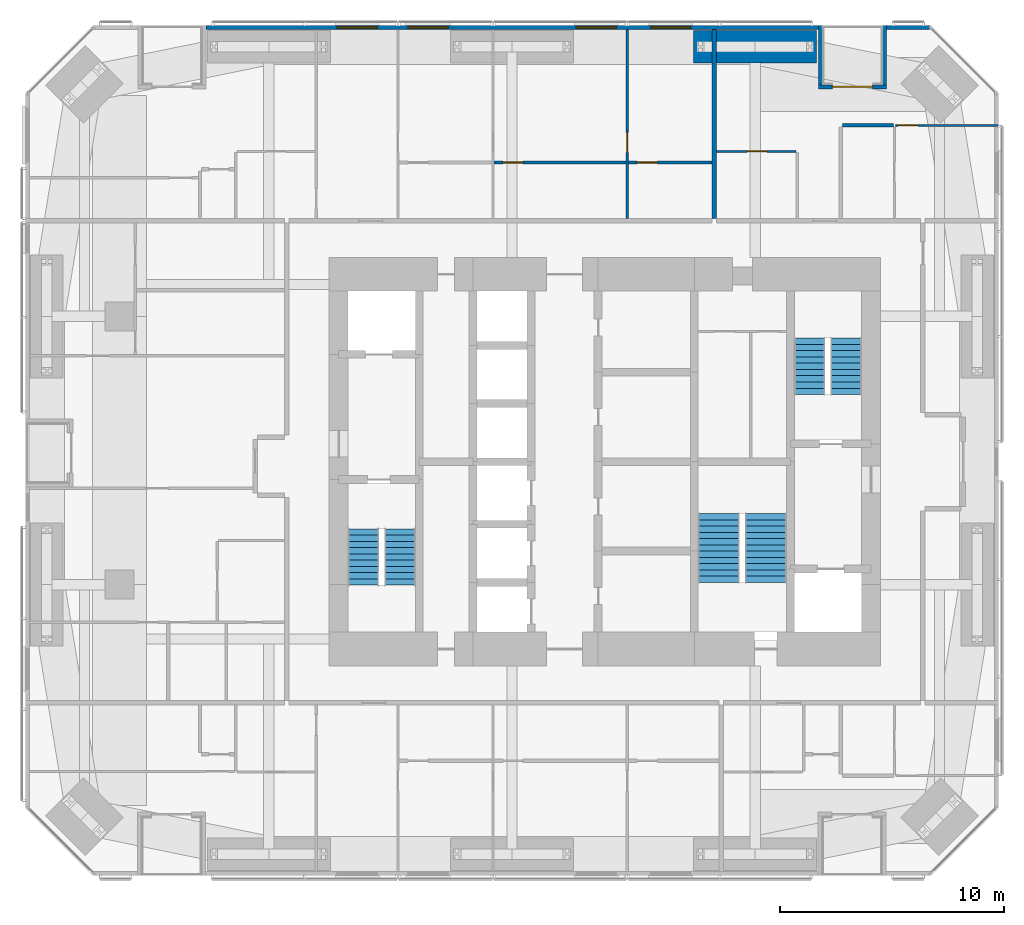
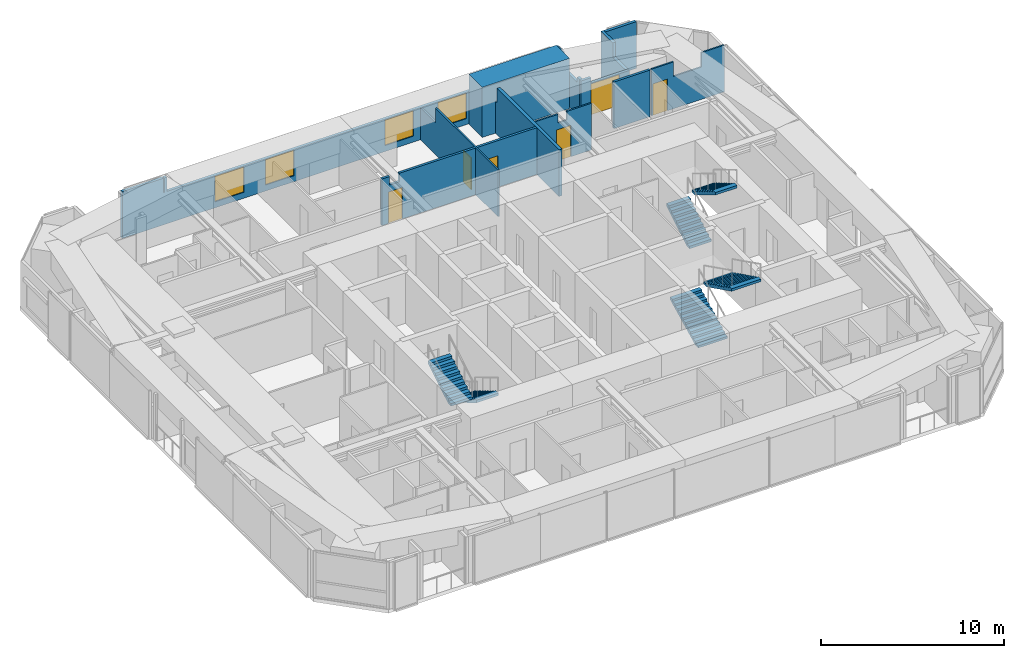
# One storey, part 22 of 23: 14 walls, 6 doors, 6 stair flights, 4 windows, 10 openings, 3 elements without a shape of their own.
"""IFC4 building model written with IfcOpenShell, lengths in metres."""

import ifcopenshell
import ifcopenshell.guid

model = None  # the IFC model being written
_history = None  # IfcOwnerHistory: only IFC2X3 demands one
_inside = {}  # id of a spatial element -> (the spatial element, [elements in it])
_under = {}  # id of a project, library or spatial element -> (it, [spatial elements below it])
_declared = {}  # id of a project -> (the project, [libraries it declares])
_typed = {}  # id of a type object -> (the type object, [elements of that type])
_made_of = {}  # id of a material, layer set ... -> (it, [elements and type objects made of it])


def new_model(schema):
    """Start an empty IFC model of exactly this schema.

    Asked for "IFC4X3", IfcOpenShell would pick the latest addendum, in which some entities
    have other attributes; the version numbers below select the first issue.
    IFC2X3 requires an IfcOwnerHistory on every rooted entity: one is made here for all.
    """
    global model, _history
    if schema == "IFC4X3":
        model = ifcopenshell.file(schema_version=(4, 3, 0, 0))
    else:
        model = ifcopenshell.file(schema=schema)
    _inside.clear()
    _under.clear()
    _declared.clear()
    _typed.clear()
    _made_of.clear()
    _history = None
    if model.schema == "IFC2X3":
        org = make("IfcOrganization", Name="unknown")
        user = make(
            "IfcPersonAndOrganization",
            ThePerson=make("IfcPerson", FamilyName="unknown"),
            TheOrganization=org,
        )
        app = make(
            "IfcApplication",
            ApplicationDeveloper=org,
            Version="unknown",
            ApplicationFullName="unknown",
            ApplicationIdentifier="unknown",
        )
        _history = make(
            "IfcOwnerHistory",
            OwningUser=user,
            OwningApplication=app,
            ChangeAction="ADDED",
            CreationDate=0,
        )
    return model


def make(cls, **values):
    """One entity of the class cls with the attributes given. An attribute that is None is left unset."""
    return model.create_entity(
        cls, **{name: value for name, value in values.items() if value is not None}
    )


def rooted(cls, **values):
    """An entity with a GlobalId (a new one), such as an element, a storey or a relation."""
    return make(cls, GlobalId=ifcopenshell.guid.new(), OwnerHistory=_history, **values)


def si_unit(unit_type, name, prefix=None):
    """IfcSIUnit, for example si_unit("LENGTHUNIT", "METRE", prefix="MILLI")."""
    return make("IfcSIUnit", UnitType=unit_type, Prefix=prefix, Name=name)


def assignment(units):
    """IfcUnitAssignment: the units of a project."""
    return None if units is None else make("IfcUnitAssignment", Units=units)


def point(xyz):
    """IfcCartesianPoint."""
    return None if xyz is None else make("IfcCartesianPoint", Coordinates=xyz)


def direction(xyz):
    """IfcDirection."""
    return None if xyz is None else make("IfcDirection", DirectionRatios=xyz)


def frame(location, z_axis=None, x_axis=None):
    """IfcAxis2Placement3D, a coordinate frame: its origin and axes. An axis left out is left unset."""
    return make(
        "IfcAxis2Placement3D",
        Location=point(location),
        Axis=direction(z_axis),
        RefDirection=direction(x_axis),
    )


def frame_2d(location, x_axis=None):
    """IfcAxis2Placement2D, a coordinate frame in the plane: its origin and x axis."""
    return make(
        "IfcAxis2Placement2D", Location=point(location), RefDirection=direction(x_axis)
    )


def origin():
    """The frame at (0, 0, 0) with its axes left unset."""
    return frame((0.0, 0.0, 0.0))


def place(relative_to, where):
    """IfcLocalPlacement: puts the frame where relative to a parent placement (None: the world)."""
    return make(
        "IfcLocalPlacement", PlacementRelTo=relative_to, RelativePlacement=where
    )


def context(
    kind, dimensions, precision=None, world=None, true_north=None, identifier=None
):
    """IfcGeometricRepresentationContext, for example the 3D "Model" context."""
    return make(
        "IfcGeometricRepresentationContext",
        ContextIdentifier=identifier,
        ContextType=kind,
        CoordinateSpaceDimension=dimensions,
        Precision=precision,
        WorldCoordinateSystem=world,
        TrueNorth=true_north,
    )


def subcontext(parent, identifier, kind, view, scale=None):
    """IfcGeometricRepresentationSubContext, for example "Body" below "Model"."""
    return make(
        "IfcGeometricRepresentationSubContext",
        ContextIdentifier=identifier,
        ContextType=kind,
        ParentContext=parent,
        TargetScale=scale,
        TargetView=view,
    )


def project(units=None, contexts=None):
    """IfcProject with its units and contexts."""
    return rooted(
        "IfcProject",
        Name="project",
        RepresentationContexts=contexts,
        UnitsInContext=assignment(units),
    )


def spatial(cls, under=None, at=None, **own):
    """A site, building, storey or space (cls), placed at a placement, below another one or the project."""
    s = rooted(cls, ObjectPlacement=at, **own)
    if under is not None:
        _under.setdefault(under.id(), (under, []))[1].append(s)
    return s


def polyline(points):
    """IfcPolyline through the points."""
    return make("IfcPolyline", Points=[point(p) for p in points])


def profile(cls, at=None, kind="AREA", **sizes):
    """A parametric profile (cls). Its sizes go by their IFC names, for example OverallWidth=200.0."""
    return make(cls, ProfileType=kind, Position=at, **sizes)


def rectangle(**sizes):
    """IfcRectangleProfileDef."""
    return profile("IfcRectangleProfileDef", **sizes)


def outline(outer, holes=None, kind="AREA"):
    """IfcArbitraryClosedProfileDef: a profile drawn as a closed curve; with holes, ...WithVoids."""
    if holes is None:
        return make("IfcArbitraryClosedProfileDef", ProfileType=kind, OuterCurve=outer)
    return make(
        "IfcArbitraryProfileDefWithVoids",
        ProfileType=kind,
        OuterCurve=outer,
        InnerCurves=holes,
    )


def extrude(swept, where, along, depth):
    """IfcExtrudedAreaSolid: the profile swept, set in the frame where, extruded along a direction by depth."""
    return make(
        "IfcExtrudedAreaSolid",
        SweptArea=swept,
        Position=where,
        ExtrudedDirection=direction(along),
        Depth=depth,
    )


def shape(context_of_items, identifier, shape_type, items):
    """IfcShapeRepresentation: the items that make up one representation, for example the "Body"."""
    return make(
        "IfcShapeRepresentation",
        ContextOfItems=context_of_items,
        RepresentationIdentifier=identifier,
        RepresentationType=shape_type,
        Items=items,
    )


def material(Name=None, Category=None):
    """IfcMaterial."""
    return make("IfcMaterial", Name=Name, Category=Category)


def layer(
    of_material, thickness, ventilated=None, Name=None, Category=None, Priority=None
):
    """IfcMaterialLayer: one layer of a wall or slab, of a material (None: an air gap)."""
    return make(
        "IfcMaterialLayer",
        Material=of_material,
        LayerThickness=thickness,
        IsVentilated=ventilated,
        Name=Name,
        Category=Category,
        Priority=Priority,
    )


def layer_set(layers, Name=None):
    """IfcMaterialLayerSet."""
    return make("IfcMaterialLayerSet", MaterialLayers=layers, LayerSetName=Name)


def constituent(of_material, Name=None, Category=None, fraction=None):
    """IfcMaterialConstituent: one of the materials an element consists of."""
    return make(
        "IfcMaterialConstituent",
        Name=Name,
        Material=of_material,
        Fraction=fraction,
        Category=Category,
    )


def constituent_set(constituents=None, Name=None):
    """IfcMaterialConstituentSet."""
    return make(
        "IfcMaterialConstituentSet", Name=Name, MaterialConstituents=constituents
    )


def made_of(thing, what):
    """Note that an element or type object is made of a material, layer set ...; save() writes the relation."""
    if what is not None:
        _made_of.setdefault(what.id(), (what, []))[1].append(thing)
    return thing


def type_object(cls, material=None, **own):
    """A type object (cls), such as IfcWallType, which elements share."""
    return made_of(rooted(cls, **own), material)


def element(
    cls,
    number,
    at=None,
    inside=None,
    cuts=None,
    type_object=None,
    material=None,
    context=None,
    identifier="Body",
    shape_type=None,
    held_by="IfcProductDefinitionShape",
    body=None,
    shapes=None,
    **own,
):
    """One element of the class cls, such as IfcWall. Its Tag is "e" and its number.

    at: its placement. inside: the storey or other place that contains it. cuts: it is an
    opening in that element (IfcRelVoidsElement). A single representation is given by context,
    identifier, shape_type and body (its items); several are given by shapes. held_by: the class
    of the entity that holds the representations. save() writes the other relations.
    """
    e = rooted(cls, Tag="e%d" % number, ObjectPlacement=at, **own)
    if body is not None:
        shapes = [shape(context, identifier, shape_type, body)]
    if shapes is not None:
        e.Representation = make(held_by, Representations=shapes)
    if inside is not None:
        _inside.setdefault(inside.id(), (inside, []))[1].append(e)
    if cuts is not None:
        rooted(
            "IfcRelVoidsElement", RelatingBuildingElement=cuts, RelatedOpeningElement=e
        )
    if type_object is not None:
        _typed.setdefault(type_object.id(), (type_object, []))[1].append(e)
    return made_of(e, material)


def fill(opening, filler):
    """IfcRelFillsElement: the door or window that sits in an opening."""
    return rooted(
        "IfcRelFillsElement",
        RelatingOpeningElement=opening,
        RelatedBuildingElement=filler,
    )


def aggregate(whole, parts):
    """IfcRelAggregates: a whole, such as a stair, and the parts it consists of."""
    return rooted("IfcRelAggregates", RelatingObject=whole, RelatedObjects=parts)


def save(model, path):
    """Write the relations noted so far, then the file.

    IfcRelAggregates (storeys below a building ...), IfcRelContainedInSpatialStructure (elements
    in a storey), IfcRelDefinesByType, IfcRelAssociatesMaterial and IfcRelDeclares: one each for
    every whole, place, type object, material and project.
    """
    for whole, parts in _under.values():
        aggregate(whole, parts)
    for where, things in _inside.values():
        rooted(
            "IfcRelContainedInSpatialStructure",
            RelatedElements=things,
            RelatingStructure=where,
        )
    for kind, things in _typed.values():
        rooted("IfcRelDefinesByType", RelatedObjects=things, RelatingType=kind)
    for what, things in _made_of.values():
        rooted("IfcRelAssociatesMaterial", RelatedObjects=things, RelatingMaterial=what)
    for by, libraries in _declared.values():
        rooted("IfcRelDeclares", RelatingContext=by, RelatedDefinitions=libraries)
    model.write(path)


model = new_model("IFC4")

# Units and contexts
model_context = context("Model", 3, precision=1e-05, world=origin(), true_north=direction((0.0, 1.0)))
body_context = subcontext(model_context, "Body", "Model", "MODEL_VIEW")
ifc_project = project(units=[si_unit("LENGTHUNIT", "METRE"), si_unit("AREAUNIT", "SQUARE_METRE"), si_unit("VOLUMEUNIT", "CUBIC_METRE"), si_unit("PLANEANGLEUNIT", "RADIAN"), si_unit("MASSUNIT", "GRAM", prefix="KILO")], contexts=[model_context])

# Site, building, storey
site_placement = place(None, origin())
site = spatial("IfcSite", under=ifc_project, at=site_placement, CompositionType="ELEMENT")
building_placement = place(site_placement, origin())
building = spatial("IfcBuilding", under=site, at=building_placement, Name="Jalousie Tower", CompositionType="ELEMENT")
storey_placement = place(building_placement, frame((0.0, 0.0, 121.60009765625)))
storey = spatial("IfcBuildingStorey", under=building, at=storey_placement, Name="L33", CompositionType="ELEMENT", Elevation=121.60009765625)

# Wall, opening, door
ifc_material_1 = material(Name="Concrete block ASTM C90", Category="concrete")
ifc_constituent_1 = constituent(ifc_material_1, Name="Body")
ifc_material_2 = material(Name="Render")
ifc_constituent_2 = constituent(ifc_material_2, Name="Finish")
ifc_constituent_set_1 = constituent_set(constituents=[ifc_constituent_1, ifc_constituent_2])
wall_type_1 = type_object("IfcWallType", Name="BATHROOM WALL 150", PredefinedType="PLUMBINGWALL", material=ifc_constituent_set_1)
wall_1_placement = place(storey_placement, frame((26.949951171875, 31.875, 0.0), z_axis=(0.0, 0.0, 1.0), x_axis=(1.0, 0.0, 0.0)))
wall_1 = element("IfcWall", 1, at=wall_1_placement, inside=storey, type_object=wall_type_1, Name="Bathroom Wall 150 L33", PredefinedType="PLUMBINGWALL", context=body_context, shape_type="SweptSolid", body=[
    extrude(outline(polyline([(0.0, 0.0), (5.900146484375, 0.0), (5.89990234375, 3.10986328125), (1.1123046875, 3.10986328125), (1.1123046875, 2.541015625), (0.487548828125, 2.541015625), (0.487548828125, 3.10986328125), (0.0, 3.10986328125), (0.0, 0.0)])), frame((0.0, 0.074951171875, 0.0), z_axis=(0.0, -1.0, 0.0), x_axis=(1.0, 0.0, 0.0)), (0.0, 0.0, 1.0), 0.14990234375),
])
opening_1_placement = place(wall_1_placement, frame((0.39990234375, 0.0, 0.0)))
opening_1 = element("IfcOpeningElement", 2, at=opening_1_placement, cuts=wall_1, Name="Opening D3", PredefinedType="OPENING", context=body_context, shape_type="SweptSolid", body=[
    extrude(rectangle(XDim=0.89990234375, YDim=2.10009765625, at=frame_2d((0.449951171875, 1.050048828125))), frame((0.0, 0.0849609375, 0.0), z_axis=(0.0, -1.0, 0.0), x_axis=(1.0, 0.0, 0.0)), (0.0, 0.0, 1.0), 0.169921875),
])
ifc_material_3 = material(Name="Timber door", Category="wood")
door_type_1 = type_object("IfcDoorType", Name="BATHROOM DOOR 900", OperationType="SINGLE_SWING_LEFT", PredefinedType="DOOR", material=ifc_material_3)
door_1_placement = place(opening_1_placement, frame((0.89990234375, 0.0, 0.0), z_axis=(0.0, 0.0, 1.0), x_axis=(-1.0, 0.0, 0.0)))
door_1 = element("IfcDoor", 3, at=door_1_placement, inside=storey, type_object=door_type_1, Name="Apartment 3303 bedroom 2 bathroom door", OperationType="SINGLE_SWING_RIGHT", OverallHeight=2.10009765625, OverallWidth=0.89990234375, PredefinedType="DOOR", context=body_context, shape_type="SweptSolid", body=[
    extrude(rectangle(XDim=0.89990234375, YDim=2.10009765625, at=frame_2d((0.449951171875, 1.050048828125))), frame((0.0, 0.02490234375, 0.0), z_axis=(0.0, -1.0, 0.0), x_axis=(1.0, 0.0, 0.0)), (0.0, 0.0, 1.0), 0.050048828125),
])
fill(opening_1, door_1)

wall_2_placement = place(storey_placement, frame((32.949951171875, 31.875, 0.0), z_axis=(0.0, 0.0, 1.0), x_axis=(1.0, 0.0, 0.0)))
wall_2 = element("IfcWall", 4, at=wall_2_placement, inside=storey, type_object=wall_type_1, Name="Bathroom Wall 150 L33", PredefinedType="PLUMBINGWALL", context=body_context, shape_type="SweptSolid", body=[
    extrude(rectangle(XDim=3.75, YDim=0.14990234375, at=frame_2d((1.875, 0.0))), origin(), (0.0, 0.0, 1.0), 3.10986328125),
])
opening_2_placement = place(wall_2_placement, frame((0.39990234375, 0.0, 0.0)))
opening_2 = element("IfcOpeningElement", 5, at=opening_2_placement, cuts=wall_2, Name="Opening D3", PredefinedType="OPENING", context=body_context, shape_type="SweptSolid", body=[
    extrude(rectangle(XDim=0.89990234375, YDim=2.10009765625, at=frame_2d((0.449951171875, 1.050048828125))), frame((0.0, 0.0849609375, 0.0), z_axis=(0.0, -1.0, 0.0), x_axis=(1.0, 0.0, 0.0)), (0.0, 0.0, 1.0), 0.169921875),
])
door_2_placement = place(opening_2_placement, frame((0.89990234375, 0.0, 0.0), z_axis=(0.0, 0.0, 1.0), x_axis=(-1.0, 0.0, 0.0)))
door_2 = element("IfcDoor", 6, at=door_2_placement, inside=storey, type_object=door_type_1, Name="Apartment 3303 bedroom 3 bathroom door", OperationType="SINGLE_SWING_RIGHT", OverallHeight=2.10009765625, OverallWidth=0.89990234375, PredefinedType="DOOR", context=body_context, shape_type="SweptSolid", body=[
    extrude(rectangle(XDim=0.89990234375, YDim=2.10009765625, at=frame_2d((0.449951171875, 1.050048828125))), frame((0.0, 0.02490234375, 0.0), z_axis=(0.0, -1.0, 0.0), x_axis=(1.0, 0.0, 0.0)), (0.0, 0.0, 1.0), 0.050048828125),
])
fill(opening_2, door_2)

# Walls
wall_3_placement = place(storey_placement, frame((42.52490234375, 33.5361328125, 0.0), z_axis=(0.0, 0.0, 1.0), x_axis=(1.0, 0.0, 0.0)))
element("IfcWall", 7, at=wall_3_placement, inside=storey, type_object=wall_type_1, Name="Bathroom Wall 150 L33", PredefinedType="PLUMBINGWALL", context=body_context, shape_type="SweptSolid", body=[
    extrude(rectangle(XDim=2.275146484375, YDim=0.14990234375, at=frame_2d((1.1376953125, 0.0))), origin(), (0.0, 0.0, 1.0), 3.10986328125),
])
ifc_material_4 = material(Name="Concrete f'c 40 MPa", Category="concrete")
ifc_constituent_3 = constituent(ifc_material_4, Name="Body")
ifc_material_5 = material(Name="Render, pastel sea green")
ifc_constituent_4 = constituent(ifc_material_5, Name="Finish")
ifc_constituent_set_2 = constituent_set(constituents=[ifc_constituent_3, ifc_constituent_4])
wall_type_2 = type_object("IfcWallType", Name="EXTERNAL WALL 175 SEA GREEN RENDER", PredefinedType="SOLIDWALL", material=ifc_constituent_set_2)
wall_4_placement = place(storey_placement, frame((46.44873046875, 37.91259765625, 0.0), z_axis=(0.0, 0.0, 1.0), x_axis=(-1.0, 0.0, 0.0)))
element("IfcWall", 8, at=wall_4_placement, inside=storey, type_object=wall_type_2, Name="External Wall 175 Sea Green Render L33", PredefinedType="SOLIDWALL", context=body_context, shape_type="SweptSolid", body=[
    extrude(rectangle(XDim=1.949951171875, YDim=0.175048828125, at=frame_2d((0.97509765625, 0.0))), origin(), (0.0, 0.0, 1.0), 3.10986328125),
])

# Wall, openings, windows
wall_5_placement = place(storey_placement, frame((41.44873046875, 37.91259765625, 0.0), z_axis=(0.0, 0.0, 1.0), x_axis=(-1.0, 0.0, 0.0)))
wall_5 = element("IfcWall", 9, at=wall_5_placement, inside=storey, type_object=wall_type_2, Name="External Wall 175 Sea Green Render L33", PredefinedType="SOLIDWALL", context=body_context, shape_type="SweptSolid", body=[
    extrude(outline(polyline([(0.0, 0.0), (27.373779296875, 0.0), (27.373779296875, 3.10986328125), (24.777099609375, 3.10986328125), (24.777099609375, 2.14990234375), (24.731689453125, 2.14990234375), (24.731689453125, 3.10986328125), (24.57373046875, 3.10986328125), (24.57373046875, 2.14990234375), (2.82373046875, 2.14990234375), (2.82373046875, 3.10986328125), (2.66552734375, 3.10986328125), (2.66552734375, 2.14990234375), (2.620361328125, 2.14990234375), (2.620361328125, 3.10986328125), (0.0, 3.10986328125), (0.0, 0.0)])), frame((0.0, 0.08740234375, 0.0), z_axis=(0.0, -1.0, 0.0), x_axis=(1.0, 0.0, 0.0)), (0.0, 0.0, 1.0), 0.175048828125),
])
opening_3_placement = place(wall_5_placement, frame((5.69873046875, 0.0, 0.39990234375)))
opening_3 = element("IfcOpeningElement", 10, at=opening_3_placement, cuts=wall_5, Name="Opening W-BED170", PredefinedType="OPENING", context=body_context, shape_type="SweptSolid", body=[
    extrude(rectangle(XDim=1.800048828125, YDim=1.699951171875, at=frame_2d((0.89990234375, 0.85009765625))), frame((0.0, 0.097412109375, 0.0), z_axis=(0.0, -1.0, 0.0), x_axis=(1.0, 0.0, 0.0)), (0.0, 0.0, 1.0), 0.195068359375),
])
opening_4_placement = place(wall_5_placement, frame((9.03369140625, 0.0, 0.39990234375)))
opening_4 = element("IfcOpeningElement", 11, at=opening_4_placement, cuts=wall_5, Name="Opening W-BED170", PredefinedType="OPENING", context=body_context, shape_type="SweptSolid", body=[
    extrude(rectangle(XDim=1.800048828125, YDim=1.699951171875, at=frame_2d((0.89990234375, 0.85009765625))), frame((0.0, 0.097412109375, 0.0), z_axis=(0.0, -1.0, 0.0), x_axis=(1.0, 0.0, 0.0)), (0.0, 0.0, 1.0), 0.195068359375),
])
opening_5_placement = place(wall_5_placement, frame((16.5576171875, 0.0, 0.39990234375)))
opening_5 = element("IfcOpeningElement", 12, at=opening_5_placement, cuts=wall_5, Name="Opening W-BED170", PredefinedType="OPENING", context=body_context, shape_type="SweptSolid", body=[
    extrude(rectangle(XDim=1.800048828125, YDim=1.699951171875, at=frame_2d((0.89990234375, 0.85009765625))), frame((0.0, 0.097412109375, 0.0), z_axis=(0.0, -1.0, 0.0), x_axis=(1.0, 0.0, 0.0)), (0.0, 0.0, 1.0), 0.195068359375),
])
opening_6_placement = place(wall_5_placement, frame((19.7236328125, 0.0, 0.39990234375)))
opening_6 = element("IfcOpeningElement", 13, at=opening_6_placement, cuts=wall_5, Name="Opening W-BED170", PredefinedType="OPENING", context=body_context, shape_type="SweptSolid", body=[
    extrude(rectangle(XDim=1.800048828125, YDim=1.699951171875, at=frame_2d((0.89990234375, 0.85009765625))), frame((0.0, 0.097412109375, 0.0), z_axis=(0.0, -1.0, 0.0), x_axis=(1.0, 0.0, 0.0)), (0.0, 0.0, 1.0), 0.195068359375),
])
ifc_material_6 = material(Name="Aluminium frame, impact-rated glazing", Category="aluminium")
window_type = type_object("IfcWindowType", Name="WINDOW BED 1800x1700", PartitioningType="SINGLE_PANEL", PredefinedType="WINDOW", material=ifc_material_6)
window_1_placement = place(opening_3_placement, origin())
window_1 = element("IfcWindow", 14, at=window_1_placement, inside=storey, type_object=window_type, Name="Apartment 3303 bedroom 3 window", OverallHeight=1.699951171875, OverallWidth=1.800048828125, PartitioningType="SINGLE_PANEL", PredefinedType="WINDOW", context=body_context, shape_type="SweptSolid", body=[
    extrude(rectangle(XDim=1.800048828125, YDim=1.699951171875, at=frame_2d((0.89990234375, 0.85009765625))), frame((0.0, 0.030029296875, 0.0), z_axis=(0.0, -1.0, 0.0), x_axis=(1.0, 0.0, 0.0)), (0.0, 0.0, 1.0), 0.06005859375),
])
fill(opening_3, window_1)
window_2_placement = place(opening_4_placement, origin())
window_2 = element("IfcWindow", 15, at=window_2_placement, inside=storey, type_object=window_type, Name="Apartment 3303 bedroom 2 window", OverallHeight=1.699951171875, OverallWidth=1.800048828125, PartitioningType="SINGLE_PANEL", PredefinedType="WINDOW", context=body_context, shape_type="SweptSolid", body=[
    extrude(rectangle(XDim=1.800048828125, YDim=1.699951171875, at=frame_2d((0.89990234375, 0.85009765625))), frame((0.0, 0.030029296875, 0.0), z_axis=(0.0, -1.0, 0.0), x_axis=(1.0, 0.0, 0.0)), (0.0, 0.0, 1.0), 0.06005859375),
])
fill(opening_4, window_2)
window_3_placement = place(opening_5_placement, origin())
window_3 = element("IfcWindow", 16, at=window_3_placement, inside=storey, type_object=window_type, Name="Apartment 3303 bedroom 1 window", OverallHeight=1.699951171875, OverallWidth=1.800048828125, PartitioningType="SINGLE_PANEL", PredefinedType="WINDOW", context=body_context, shape_type="SweptSolid", body=[
    extrude(rectangle(XDim=1.800048828125, YDim=1.699951171875, at=frame_2d((0.89990234375, 0.85009765625))), frame((0.0, 0.030029296875, 0.0), z_axis=(0.0, -1.0, 0.0), x_axis=(1.0, 0.0, 0.0)), (0.0, 0.0, 1.0), 0.06005859375),
])
fill(opening_5, window_3)
window_4_placement = place(opening_6_placement, origin())
window_4 = element("IfcWindow", 17, at=window_4_placement, inside=storey, type_object=window_type, Name="Apartment 3303 study window", OverallHeight=1.699951171875, OverallWidth=1.800048828125, PartitioningType="SINGLE_PANEL", PredefinedType="WINDOW", context=body_context, shape_type="SweptSolid", body=[
    extrude(rectangle(XDim=1.800048828125, YDim=1.699951171875, at=frame_2d((0.89990234375, 0.85009765625))), frame((0.0, 0.030029296875, 0.0), z_axis=(0.0, -1.0, 0.0), x_axis=(1.0, 0.0, 0.0)), (0.0, 0.0, 1.0), 0.06005859375),
])
fill(opening_6, window_4)

# Wall, opening, door
wall_6_placement = place(storey_placement, frame((44.498779296875, 35.262451171875, 0.0), z_axis=(0.0, 0.0, 1.0), x_axis=(-1.0, 0.0, 0.0)))
wall_6 = element("IfcWall", 18, at=wall_6_placement, inside=storey, type_object=wall_type_2, Name="External Wall 175 Sea Green Render L33-A", PredefinedType="SOLIDWALL", context=body_context, shape_type="SweptSolid", body=[
    extrude(rectangle(XDim=2.425048828125, YDim=0.175048828125, at=frame_2d((1.21240234375, 0.0))), origin(), (0.0, 0.0, 1.0), 2.14990234375),
])
opening_7_placement = place(wall_6_placement, frame((0.625, 0.0, 0.0)))
opening_7 = element("IfcOpeningElement", 19, at=opening_7_placement, cuts=wall_6, Name="Opening D-BAL21", PredefinedType="OPENING", context=body_context, shape_type="SweptSolid", body=[
    extrude(rectangle(XDim=1.800048828125, YDim=2.10009765625, at=frame_2d((0.89990234375, 1.050048828125))), frame((0.0, 0.097412109375, 0.0), z_axis=(0.0, -1.0, 0.0), x_axis=(1.0, 0.0, 0.0)), (0.0, 0.0, 1.0), 0.195068359375),
])
ifc_material_7 = material(Name="Aluminium frame, impact-rated glazing", Category="aluminium")
door_type_2 = type_object("IfcDoorType", Name="BALCONY DOOR 1800x2100", OperationType="SLIDING_TO_LEFT", PredefinedType="DOOR", material=ifc_material_7)
door_3_placement = place(opening_7_placement, origin())
door_3 = element("IfcDoor", 20, at=door_3_placement, inside=storey, type_object=door_type_2, Name="Apartment 3304 living and dining room loggia door", OperationType="SLIDING_TO_LEFT", OverallHeight=2.10009765625, OverallWidth=1.800048828125, PredefinedType="DOOR", context=body_context, shape_type="SweptSolid", body=[
    extrude(rectangle(XDim=1.800048828125, YDim=2.10009765625, at=frame_2d((0.89990234375, 1.050048828125))), frame((0.0, 0.02490234375, 0.0), z_axis=(0.0, -1.0, 0.0), x_axis=(1.0, 0.0, 0.0)), (0.0, 0.0, 1.0), 0.050048828125),
])
fill(opening_7, door_3)

# Walls
wall_7_placement = place(storey_placement, frame((42.07373046875, 35.262451171875, 0.0), z_axis=(0.0, 0.0, 1.0), x_axis=(-1.0, 0.0, 0.0)))
element("IfcWall", 21, at=wall_7_placement, inside=storey, type_object=wall_type_2, Name="External Wall 175 Sea Green Render L33-B", PredefinedType="SOLIDWALL", context=body_context, shape_type="SweptSolid", body=[
    extrude(rectangle(XDim=0.625, YDim=0.175048828125, at=frame_2d((0.3125, 0.0))), origin(), (0.0, 0.0, 1.0), 2.510009765625),
])
wall_8_placement = place(storey_placement, frame((44.4111328125, 38.0, 0.0), z_axis=(0.0, 0.0, 1.0), x_axis=(0.0, -1.0, 0.0)))
element("IfcWall", 22, at=wall_8_placement, inside=storey, type_object=wall_type_2, Name="External Wall 175 Sea Green Render L33", PredefinedType="SOLIDWALL", context=body_context, shape_type="SweptSolid", body=[
    extrude(outline(polyline([(0.0, 0.0), (2.64990234375, 0.0), (2.64990234375, 2.14990234375), (1.2958984375, 2.14990234375), (1.2958984375, 3.10986328125), (0.0, 3.10986328125), (0.0, 0.0)])), frame((0.0, 0.08740234375, 0.0), z_axis=(0.0, -1.0, 0.0), x_axis=(1.0, 0.0, 0.0)), (0.0, 0.0, 1.0), 0.175048828125),
])
wall_9_placement = place(storey_placement, frame((41.5361328125, 38.0, 0.0), z_axis=(0.0, 0.0, 1.0), x_axis=(0.0, -1.0, 0.0)))
element("IfcWall", 23, at=wall_9_placement, inside=storey, type_object=wall_type_2, Name="External Wall 175 Sea Green Render L33", PredefinedType="SOLIDWALL", context=body_context, shape_type="SweptSolid", body=[
    extrude(outline(polyline([(0.0, 0.0), (2.64990234375, 0.0), (2.64990234375, 2.510009765625), (2.378173828125, 2.510009765625), (2.378173828125, 2.14990234375), (0.70947265625, 2.14990234375), (0.70947265625, 3.10986328125), (0.0, 3.10986328125), (0.0, 0.0)])), frame((0.0, 0.08740234375, 0.0), z_axis=(0.0, -1.0, 0.0), x_axis=(1.0, 0.0, 0.0)), (0.0, 0.0, 1.0), 0.175048828125),
])

# Wall, opening, door
ifc_material_8 = material(Name="Gypsum board", Category="gypsum")
ifc_constituent_5 = constituent(ifc_material_8, Name="Body")
ifc_material_9 = material(Name="Light-gauge steel studs ASTM A653 SS Grade 33", Category="steel")
ifc_constituent_6 = constituent(ifc_material_9, Name="Framing")
ifc_constituent_set_3 = constituent_set(constituents=[ifc_constituent_5, ifc_constituent_6])
wall_type_3 = type_object("IfcWallType", Name="PARTITION 100", PredefinedType="PARTITIONING", material=ifc_constituent_set_3)
wall_10_placement = place(storey_placement, frame((32.89990234375, 37.824951171875, 0.0), z_axis=(0.0, 0.0, 1.0), x_axis=(0.0, -1.0, 0.0)))
wall_10 = element("IfcWall", 24, at=wall_10_placement, inside=storey, type_object=wall_type_3, Name="Partition 100 L33", PredefinedType="PARTITIONING", context=body_context, shape_type="SweptSolid", body=[
    extrude(outline(polyline([(0.0, 0.0), (8.449951171875, 0.0), (8.449951171875, 3.10986328125), (1.635009765625, 3.10986328125), (1.635009765625, 2.14990234375), (0.0, 2.14990234375), (0.0, 3.10986328125), (0.0, 0.0)])), frame((0.0, 0.050048828125, 0.0), z_axis=(0.0, -1.0, 0.0), x_axis=(1.0, 0.0, 0.0)), (0.0, 0.0, 1.0), 0.10009765625),
])
opening_8_placement = place(wall_10_placement, frame((4.60009765625, 0.0, 0.0)))
opening_8 = element("IfcOpeningElement", 25, at=opening_8_placement, cuts=wall_10, Name="Opening D2", PredefinedType="OPENING", context=body_context, shape_type="SweptSolid", body=[
    extrude(rectangle(XDim=0.89990234375, YDim=2.10009765625, at=frame_2d((0.449951171875, 1.050048828125))), frame((0.0, 0.06005859375, 0.0), z_axis=(0.0, -1.0, 0.0), x_axis=(1.0, 0.0, 0.0)), (0.0, 0.0, 1.0), 0.1201171875),
])
ifc_material_10 = material(Name="Timber door", Category="wood")
door_type_3 = type_object("IfcDoorType", Name="BEDROOM DOOR 900", OperationType="SINGLE_SWING_LEFT", PredefinedType="DOOR", material=ifc_material_10)
door_4_placement = place(opening_8_placement, frame((0.89990234375, 0.0, 0.0), z_axis=(0.0, 0.0, 1.0), x_axis=(-1.0, 0.0, 0.0)))
door_4 = element("IfcDoor", 26, at=door_4_placement, inside=storey, type_object=door_type_3, Name="Apartment 3303 bedroom 3 door", OperationType="SINGLE_SWING_LEFT", OverallHeight=2.10009765625, OverallWidth=0.89990234375, PredefinedType="DOOR", context=body_context, shape_type="SweptSolid", body=[
    extrude(rectangle(XDim=0.89990234375, YDim=2.10009765625, at=frame_2d((0.449951171875, 1.050048828125))), frame((0.0, 0.02490234375, 0.0), z_axis=(0.0, -1.0, 0.0), x_axis=(1.0, 0.0, 0.0)), (0.0, 0.0, 1.0), 0.050048828125),
])
fill(opening_8, door_4)

wall_11_placement = place(storey_placement, frame((44.89990234375, 33.5361328125, 0.0), z_axis=(0.0, 0.0, 1.0), x_axis=(1.0, 0.0, 0.0)))
wall_11 = element("IfcWall", 27, at=wall_11_placement, inside=storey, type_object=wall_type_3, Name="Partition 100 L33", PredefinedType="PARTITIONING", context=body_context, shape_type="SweptSolid", body=[
    extrude(outline(polyline([(0.0, 0.0), (4.60009765625, 0.0), (4.60009765625, 3.10986328125), (3.136962890625, 3.10986328125), (3.136962890625, 2.14990234375), (1.39453125, 2.14990234375), (1.39453125, 3.10986328125), (0.0, 3.10986328125), (0.0, 0.0)])), frame((0.0, 0.050048828125, 0.0), z_axis=(0.0, -1.0, 0.0), x_axis=(1.0, 0.0, 0.0)), (0.0, 0.0, 1.0), 0.10009765625),
])
opening_9_placement = place(wall_11_placement, frame((0.10009765625, 0.0, 0.0)))
opening_9 = element("IfcOpeningElement", 28, at=opening_9_placement, cuts=wall_11, Name="Opening D2", PredefinedType="OPENING", context=body_context, shape_type="SweptSolid", body=[
    extrude(rectangle(XDim=0.89990234375, YDim=2.10009765625, at=frame_2d((0.449951171875, 1.050048828125))), frame((0.0, 0.06005859375, 0.0), z_axis=(0.0, -1.0, 0.0), x_axis=(1.0, 0.0, 0.0)), (0.0, 0.0, 1.0), 0.1201171875),
])
door_5_placement = place(opening_9_placement, frame((0.89990234375, 0.0, 0.0), z_axis=(0.0, 0.0, 1.0), x_axis=(-1.0, 0.0, 0.0)))
door_5 = element("IfcDoor", 29, at=door_5_placement, inside=storey, type_object=door_type_3, Name="Apartment 3304 bedroom 1 door", OperationType="SINGLE_SWING_RIGHT", OverallHeight=2.10009765625, OverallWidth=0.89990234375, PredefinedType="DOOR", context=body_context, shape_type="SweptSolid", body=[
    extrude(rectangle(XDim=0.89990234375, YDim=2.10009765625, at=frame_2d((0.449951171875, 1.050048828125))), frame((0.0, 0.02490234375, 0.0), z_axis=(0.0, -1.0, 0.0), x_axis=(1.0, 0.0, 0.0)), (0.0, 0.0, 1.0), 0.050048828125),
])
fill(opening_9, door_5)

wall_12_placement = place(storey_placement, frame((36.89990234375, 32.375, 0.0), z_axis=(0.0, 0.0, 1.0), x_axis=(1.0, 0.0, 0.0)))
wall_12 = element("IfcWall", 30, at=wall_12_placement, inside=storey, type_object=wall_type_3, Name="Partition 100 L33", PredefinedType="PARTITIONING", context=body_context, shape_type="SweptSolid", body=[
    extrude(outline(polyline([(0.0, 0.0), (3.550048828125, 0.0), (3.550048828125, 3.10986328125), (2.012451171875, 3.10986328125), (2.012451171875, 2.541015625), (1.4375, 2.541015625), (1.4375, 3.10986328125), (0.0, 3.10986328125), (0.0, 0.0)])), frame((0.0, 0.050048828125, 0.0), z_axis=(0.0, -1.0, 0.0), x_axis=(1.0, 0.0, 0.0)), (0.0, 0.0, 1.0), 0.10009765625),
])
opening_10_placement = place(wall_12_placement, frame((1.35009765625, 0.0, 0.0)))
opening_10 = element("IfcOpeningElement", 31, at=opening_10_placement, cuts=wall_12, Name="Opening D7", PredefinedType="OPENING", context=body_context, shape_type="SweptSolid", body=[
    extrude(rectangle(XDim=0.89990234375, YDim=2.10009765625, at=frame_2d((0.449951171875, 1.050048828125))), frame((0.0, 0.06005859375, 0.0), z_axis=(0.0, -1.0, 0.0), x_axis=(1.0, 0.0, 0.0)), (0.0, 0.0, 1.0), 0.1201171875),
])
ifc_material_11 = material(Name="Timber door", Category="wood")
door_type_4 = type_object("IfcDoorType", Name="INTERNAL DOOR 900", OperationType="SINGLE_SWING_LEFT", PredefinedType="DOOR", material=ifc_material_11)
door_6_placement = place(opening_10_placement, origin())
door_6 = element("IfcDoor", 32, at=door_6_placement, inside=storey, type_object=door_type_4, Name="Apartment 3304 kitchen door", OperationType="SINGLE_SWING_LEFT", OverallHeight=2.10009765625, OverallWidth=0.89990234375, PredefinedType="DOOR", context=body_context, shape_type="SweptSolid", body=[
    extrude(rectangle(XDim=0.89990234375, YDim=2.10009765625, at=frame_2d((0.449951171875, 1.050048828125))), frame((0.0, 0.02490234375, 0.0), z_axis=(0.0, -1.0, 0.0), x_axis=(1.0, 0.0, 0.0)), (0.0, 0.0, 1.0), 0.050048828125),
])
fill(opening_10, door_6)

# Walls
ifc_material_12 = material(Name="Concrete block ASTM C90", Category="concrete")
ifc_constituent_7 = constituent(ifc_material_12, Name="Body")
ifc_material_13 = material(Name="Render")
ifc_constituent_8 = constituent(ifc_material_13, Name="Finish")
ifc_constituent_set_4 = constituent_set(constituents=[ifc_constituent_7, ifc_constituent_8])
wall_type_4 = type_object("IfcWallType", Name="PARTY WALL 200", PredefinedType="PARTITIONING", material=ifc_constituent_set_4)
wall_13_placement = place(storey_placement, frame((36.800048828125, 37.824951171875, 0.0), z_axis=(0.0, 0.0, 1.0), x_axis=(0.0, -1.0, 0.0)))
element("IfcWall", 33, at=wall_13_placement, inside=storey, type_object=wall_type_4, Name="Party Wall 200 L33", PredefinedType="PARTITIONING", context=body_context, shape_type="SweptSolid", body=[
    extrude(outline(polyline([(0.52880859375, 2.14990234375), (0.0, 2.14990234375), (0.0, 0.0), (0.52880859375, 0.0), (0.52880859375, 0.25634765625), (1.021240234375, 0.25634765625), (1.021240234375, 0.0), (8.449951171875, 0.0), (8.449951171875, 3.10986328125), (1.68505859375, 3.10986328125), (1.68505859375, 2.14990234375), (1.021240234375, 2.14990234375), (1.021240234375, 1.8935546875), (0.52880859375, 1.8935546875), (0.52880859375, 2.14990234375)])), frame((0.0, 0.10009765625, 0.0), z_axis=(0.0, -1.0, 0.0), x_axis=(1.0, 0.0, 0.0)), (0.0, 0.0, 1.0), 0.199951171875),
])
ifc_material_14 = material(Name="Concrete f'c 120 MPa", Category="concrete")
ifc_layer = layer(ifc_material_14, 1.449951171875)
ifc_layer_set = layer_set([ifc_layer], Name="Concrete f'c 120 MPa")
wall_type_5 = type_object("IfcWallType", Name="RC WALL PIER 1450", PredefinedType="SHEAR", material=ifc_layer_set)
wall_14_placement = place(storey_placement, frame((35.875, 37.050048828125, 0.0), z_axis=(0.0, 0.0, 1.0), x_axis=(1.0, 0.0, 0.0)))
element("IfcWall", 34, at=wall_14_placement, inside=storey, type_object=wall_type_5, Name="Wall pier 09 L33", PredefinedType="SHEAR", context=body_context, shape_type="SweptSolid", body=[
    extrude(rectangle(XDim=5.5, YDim=1.449951171875, at=frame_2d((2.75, 0.0))), origin(), (0.0, 0.0, 1.0), 3.349853515625),
])

# Stair, stair flights
ifc_material_15 = material(Name="Concrete f'c 40 MPa", Category="concrete")
stair_type = type_object("IfcStairType", Name="EXIT STAIR", PredefinedType="HALF_TURN_STAIR", material=ifc_material_15)
stair_1_placement = place(storey_placement, origin())
stair_1 = element("IfcStair", 35, at=stair_1_placement, inside=storey, type_object=stair_type, Name="Exit stair A L33", PredefinedType="HALF_TURN_STAIR")
ifc_material_16 = material(Name="Concrete f'c 40 MPa", Category="concrete")
stair_flight_type = type_object("IfcStairFlightType", Name="STAIR FLIGHT", PredefinedType="STRAIGHT", material=ifc_material_16)
stair_flight_1_placement = place(storey_placement, frame((22.737548828125, 15.49755859375, 0.0), z_axis=(0.0, 0.0, 1.0), x_axis=(0.0, -1.0, 0.0)))
stair_flight_1 = element("IfcStairFlight", 36, at=stair_flight_1_placement, type_object=stair_flight_type, Name="ST-A flight 1", NumberOfRisers=10, NumberOfTreads=9, PredefinedType="STRAIGHT", RiserHeight=0.1675, TreadLength=0.28, context=body_context, shape_type="SweptSolid", body=[
    extrude(outline(polyline([(0.0, 0.0), (0.0, 0.16748046875), (0.280029296875, 0.16748046875), (0.280029296875, 0.3349609375), (0.56005859375, 0.3349609375), (0.56005859375, 0.50244140625), (0.840087890625, 0.50244140625), (0.840087890625, 0.669921875), (1.1201171875, 0.669921875), (1.1201171875, 0.83740234375), (1.39990234375, 0.83740234375), (1.39990234375, 1.0048828125), (1.679931640625, 1.0048828125), (1.679931640625, 1.172607421875), (1.9599609375, 1.172607421875), (1.9599609375, 1.340087890625), (2.239990234375, 1.340087890625), (2.239990234375, 1.507568359375), (2.52001953125, 1.507568359375), (2.52001953125, 1.675048828125), (2.52001953125, 1.332763671875), (0.2919921875, 0.0), (0.0, 0.0)])), frame((0.0, 0.6875, 0.0), z_axis=(0.0, -1.0, 0.0), x_axis=(1.0, 0.0, 0.0)), (0.0, 0.0, 1.0), 1.375),
])
stair_flight_2_placement = place(storey_placement, frame((21.112548828125, 12.9775390625, 1.6748046875), z_axis=(0.0, 0.0, 1.0), x_axis=(0.0, 1.0, 0.0)))
stair_flight_2 = element("IfcStairFlight", 37, at=stair_flight_2_placement, type_object=stair_flight_type, Name="ST-A flight 2", NumberOfRisers=10, NumberOfTreads=9, PredefinedType="STRAIGHT", RiserHeight=0.1675, TreadLength=0.28, context=body_context, shape_type="SweptSolid", body=[
    extrude(outline(polyline([(0.0, 0.0), (0.0, 0.16748046875), (0.280029296875, 0.16748046875), (0.280029296875, 0.3349609375), (0.56005859375, 0.3349609375), (0.56005859375, 0.50244140625), (0.840087890625, 0.50244140625), (0.840087890625, 0.669921875), (1.1201171875, 0.669921875), (1.1201171875, 0.83740234375), (1.39990234375, 0.83740234375), (1.39990234375, 1.0048828125), (1.679931640625, 1.0048828125), (1.679931640625, 1.172607421875), (1.9599609375, 1.172607421875), (1.9599609375, 1.340087890625), (2.239990234375, 1.340087890625), (2.239990234375, 1.507568359375), (2.52001953125, 1.507568359375), (2.52001953125, 1.675048828125), (2.52001953125, 1.332763671875), (0.2919921875, 0.0), (0.0, 0.0)])), frame((0.0, 0.6875, 0.0), z_axis=(0.0, -1.0, 0.0), x_axis=(1.0, 0.0, 0.0)), (0.0, 0.0, 1.0), 1.375),
])
aggregate(stair_1, [stair_flight_1, stair_flight_2])

stair_2_placement = place(storey_placement, origin())
stair_2 = element("IfcStair", 38, at=stair_2_placement, inside=storey, type_object=stair_type, Name="Exit stair B L33", PredefinedType="HALF_TURN_STAIR")
stair_flight_3_placement = place(storey_placement, frame((41.0625, 21.50244140625, 0.0), z_axis=(0.0, 0.0, 1.0), x_axis=(0.0, 1.0, 0.0)))
stair_flight_3 = element("IfcStairFlight", 39, at=stair_flight_3_placement, type_object=stair_flight_type, Name="ST-B flight 1", NumberOfRisers=10, NumberOfTreads=9, PredefinedType="STRAIGHT", RiserHeight=0.1675, TreadLength=0.28, context=body_context, shape_type="SweptSolid", body=[
    extrude(outline(polyline([(0.0, 0.0), (0.0, 0.16748046875), (0.280029296875, 0.16748046875), (0.280029296875, 0.3349609375), (0.56005859375, 0.3349609375), (0.56005859375, 0.50244140625), (0.840087890625, 0.50244140625), (0.840087890625, 0.669921875), (1.1201171875, 0.669921875), (1.1201171875, 0.83740234375), (1.39990234375, 0.83740234375), (1.39990234375, 1.0048828125), (1.679931640625, 1.0048828125), (1.679931640625, 1.172607421875), (1.9599609375, 1.172607421875), (1.9599609375, 1.340087890625), (2.239990234375, 1.340087890625), (2.239990234375, 1.507568359375), (2.52001953125, 1.507568359375), (2.52001953125, 1.675048828125), (2.52001953125, 1.332763671875), (0.2919921875, 0.0), (0.0, 0.0)])), frame((0.0, 0.6875, 0.0), z_axis=(0.0, -1.0, 0.0), x_axis=(1.0, 0.0, 0.0)), (0.0, 0.0, 1.0), 1.375),
])
stair_flight_4_placement = place(storey_placement, frame((42.6875, 24.0224609375, 1.6748046875), z_axis=(0.0, 0.0, 1.0), x_axis=(0.0, -1.0, 0.0)))
stair_flight_4 = element("IfcStairFlight", 40, at=stair_flight_4_placement, type_object=stair_flight_type, Name="ST-B flight 2", NumberOfRisers=10, NumberOfTreads=9, PredefinedType="STRAIGHT", RiserHeight=0.1675, TreadLength=0.28, context=body_context, shape_type="SweptSolid", body=[
    extrude(outline(polyline([(0.0, 0.0), (0.0, 0.16748046875), (0.280029296875, 0.16748046875), (0.280029296875, 0.3349609375), (0.56005859375, 0.3349609375), (0.56005859375, 0.50244140625), (0.840087890625, 0.50244140625), (0.840087890625, 0.669921875), (1.1201171875, 0.669921875), (1.1201171875, 0.83740234375), (1.39990234375, 0.83740234375), (1.39990234375, 1.0048828125), (1.679931640625, 1.0048828125), (1.679931640625, 1.172607421875), (1.9599609375, 1.172607421875), (1.9599609375, 1.340087890625), (2.239990234375, 1.340087890625), (2.239990234375, 1.507568359375), (2.52001953125, 1.507568359375), (2.52001953125, 1.675048828125), (2.52001953125, 1.332763671875), (0.2919921875, 0.0), (0.0, 0.0)])), frame((0.0, 0.6875, 0.0), z_axis=(0.0, -1.0, 0.0), x_axis=(1.0, 0.0, 0.0)), (0.0, 0.0, 1.0), 1.375),
])
aggregate(stair_2, [stair_flight_3, stair_flight_4])

stair_3_placement = place(storey_placement, origin())
stair_3 = element("IfcStair", 41, at=stair_3_placement, inside=storey, type_object=stair_type, Name="Exit stair C L33", PredefinedType="HALF_TURN_STAIR")
stair_flight_5_placement = place(storey_placement, frame((37.0, 13.097412109375, 0.0), z_axis=(0.0, 0.0, 1.0), x_axis=(0.0, 1.0, 0.0)))
stair_flight_5 = element("IfcStairFlight", 42, at=stair_flight_5_placement, type_object=stair_flight_type, Name="ST-C flight 1", NumberOfRisers=12, NumberOfTreads=11, PredefinedType="STRAIGHT", RiserHeight=0.139583333, TreadLength=0.28, context=body_context, shape_type="SweptSolid", body=[
    extrude(outline(polyline([(0.0, 0.0), (0.0, 0.1396484375), (0.280029296875, 0.1396484375), (0.280029296875, 0.279052734375), (0.56005859375, 0.279052734375), (0.56005859375, 0.418701171875), (0.840087890625, 0.418701171875), (0.840087890625, 0.558349609375), (1.1201171875, 0.558349609375), (1.1201171875, 0.697998046875), (1.39990234375, 0.697998046875), (1.39990234375, 0.83740234375), (1.679931640625, 0.83740234375), (1.679931640625, 0.97705078125), (1.9599609375, 0.97705078125), (1.9599609375, 1.11669921875), (2.239990234375, 1.11669921875), (2.239990234375, 1.25634765625), (2.52001953125, 1.25634765625), (2.52001953125, 1.395751953125), (2.800048828125, 1.395751953125), (2.800048828125, 1.535400390625), (3.080078125, 1.535400390625), (3.080078125, 1.675048828125), (3.080078125, 1.367919921875), (0.3359375, 0.0), (0.0, 0.0)])), frame((0.0, 0.925048828125, 0.0), z_axis=(0.0, -1.0, 0.0), x_axis=(1.0, 0.0, 0.0)), (0.0, 0.0, 1.0), 1.85009765625),
])
stair_flight_6_placement = place(storey_placement, frame((39.10009765625, 16.177490234375, 1.6748046875), z_axis=(0.0, 0.0, 1.0), x_axis=(0.0, -1.0, 0.0)))
stair_flight_6 = element("IfcStairFlight", 43, at=stair_flight_6_placement, type_object=stair_flight_type, Name="ST-C flight 2", NumberOfRisers=12, NumberOfTreads=11, PredefinedType="STRAIGHT", RiserHeight=0.139583333, TreadLength=0.28, context=body_context, shape_type="SweptSolid", body=[
    extrude(outline(polyline([(0.0, 0.0), (0.0, 0.1396484375), (0.280029296875, 0.1396484375), (0.280029296875, 0.279052734375), (0.56005859375, 0.279052734375), (0.56005859375, 0.418701171875), (0.840087890625, 0.418701171875), (0.840087890625, 0.558349609375), (1.1201171875, 0.558349609375), (1.1201171875, 0.697998046875), (1.39990234375, 0.697998046875), (1.39990234375, 0.83740234375), (1.679931640625, 0.83740234375), (1.679931640625, 0.97705078125), (1.9599609375, 0.97705078125), (1.9599609375, 1.11669921875), (2.239990234375, 1.11669921875), (2.239990234375, 1.25634765625), (2.52001953125, 1.25634765625), (2.52001953125, 1.395751953125), (2.800048828125, 1.395751953125), (2.800048828125, 1.535400390625), (3.080078125, 1.535400390625), (3.080078125, 1.675048828125), (3.080078125, 1.367919921875), (0.3359375, 0.0), (0.0, 0.0)])), frame((0.0, 0.925048828125, 0.0), z_axis=(0.0, -1.0, 0.0), x_axis=(1.0, 0.0, 0.0)), (0.0, 0.0, 1.0), 1.85009765625),
])
aggregate(stair_3, [stair_flight_5, stair_flight_6])

save(model, "model.ifc")
